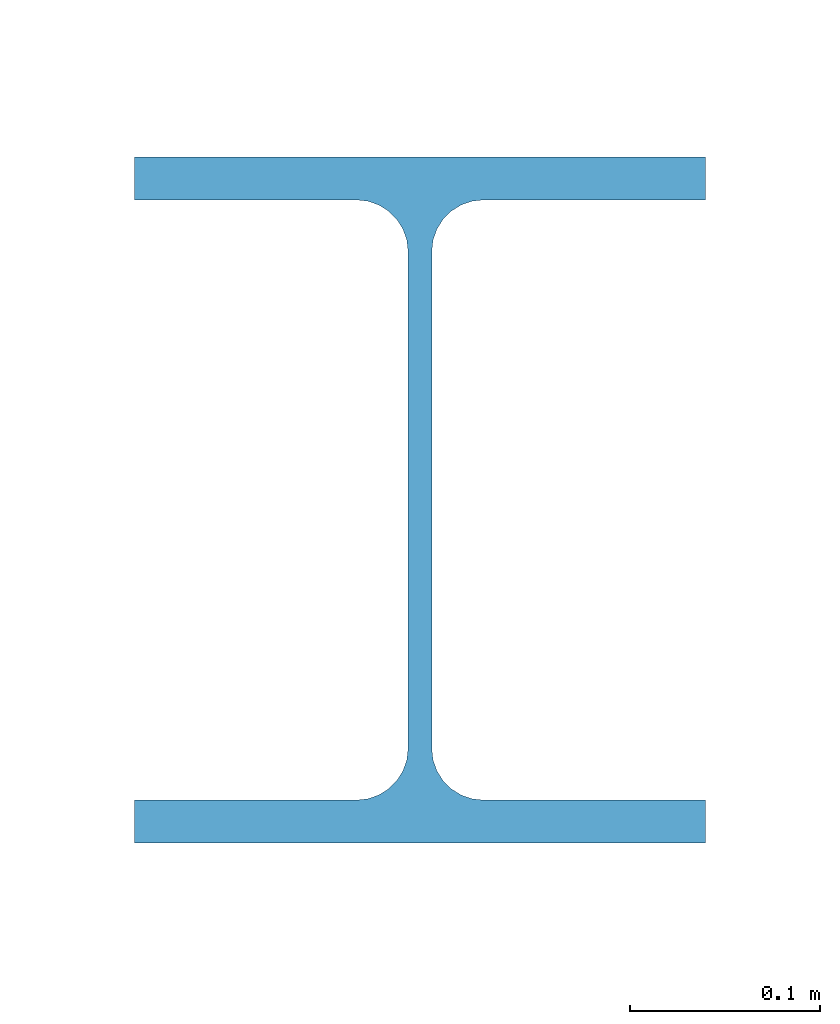
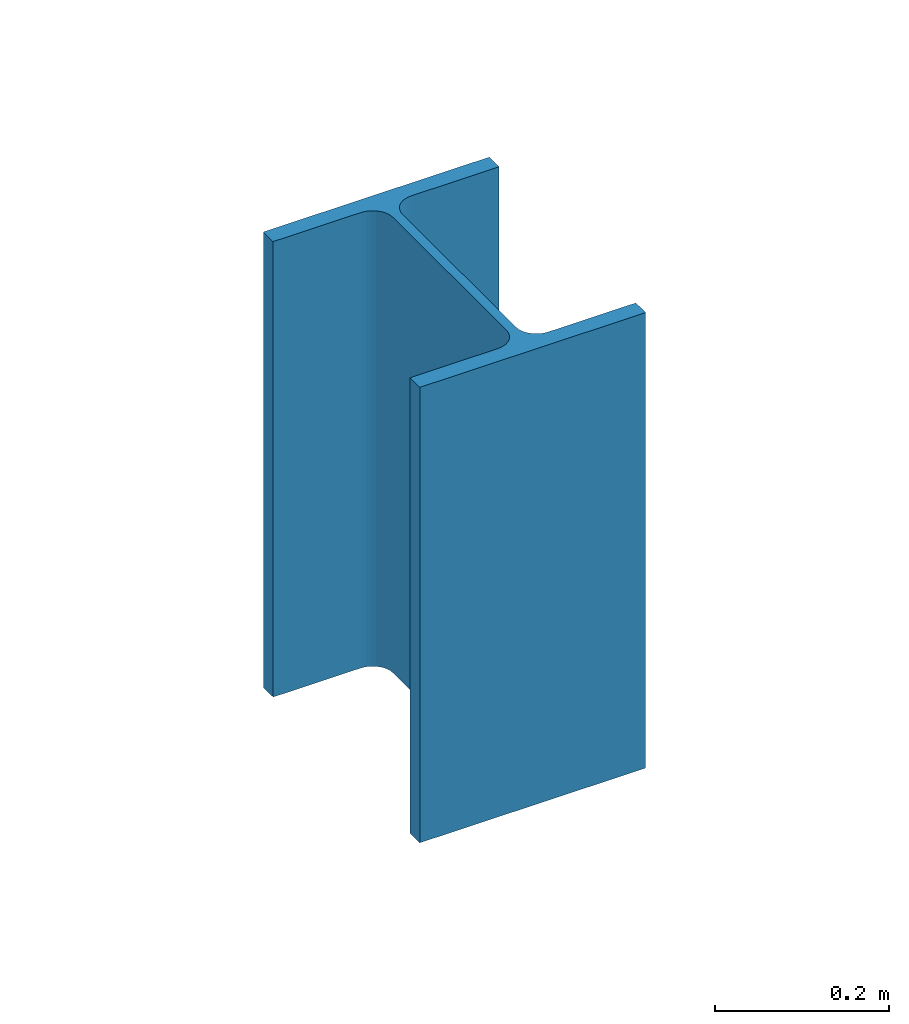
# One storey, part 7 of 34: 1 column.
"""IFC4 building model written with IfcOpenShell, lengths in metres."""

from ifc_helpers import new_model, si_unit, direction, frame, origin, origin_2d, place, context, subcontext, project, spatial, i_section, extrude, material, material_profile, profile_set, type_object, element, save


model = new_model("IFC4")

# Units and contexts
model_context = context("Model", 3, precision=1e-05, world=origin(), true_north=direction((0.0, 1.0)))
body_context = subcontext(model_context, "Body", "Model", "MODEL_VIEW")
ifc_project = project(units=[si_unit("LENGTHUNIT", "METRE"), si_unit("AREAUNIT", "SQUARE_METRE"), si_unit("VOLUMEUNIT", "CUBIC_METRE"), si_unit("PLANEANGLEUNIT", "RADIAN"), si_unit("MASSUNIT", "GRAM", prefix="KILO")], contexts=[model_context])

# Site, building, storey
site_placement = place(None, origin())
site = spatial("IfcSite", under=ifc_project, at=site_placement, CompositionType="ELEMENT")
building_placement = place(site_placement, origin())
building = spatial("IfcBuilding", under=site, at=building_placement, Name="Vharandega Faculty of Natural Sciences", CompositionType="ELEMENT")
storey_placement = place(building_placement, frame((0.0, 0.0, 21.60009765625)))
storey = spatial("IfcBuildingStorey", under=building, at=storey_placement, Name="L05", CompositionType="ELEMENT", Elevation=21.60009765625)

# Column
ifc_material = material(Name="Steel S355", Category="steel")
ifc_material_profile = material_profile(ifc_material, i_section(OverallWidth=0.300048828125, OverallDepth=0.360107421875, WebThickness=0.012451171875, FlangeThickness=0.0224609375, FilletRadius=0.027099609375, at=origin_2d()), Name="HEB 360")
ifc_profile_set = profile_set([ifc_material_profile], Name="Steel S355")
column_type = type_object("IfcColumnType", Name="Steel Column HEB 360", PredefinedType="COLUMN", material=ifc_profile_set)
column_placement = place(storey_placement, frame((106.39990234375, 85.0, 0.0), z_axis=(0.0, 0.0, 1.0), x_axis=(1.0, 0.0, 0.0)))
element("IfcColumn", 1, at=column_placement, inside=storey, type_object=column_type, Name="Column 14/M L05", PredefinedType="COLUMN", context=body_context, shape_type="SweptSolid", body=[
    extrude(i_section(OverallWidth=0.300048828125, OverallDepth=0.360107421875, WebThickness=0.012451171875, FlangeThickness=0.0224609375, FilletRadius=0.027099609375, at=origin_2d()), origin(), (0.0, 0.0, 1.0), 0.639892578125),
])

save(model, "model.ifc")
